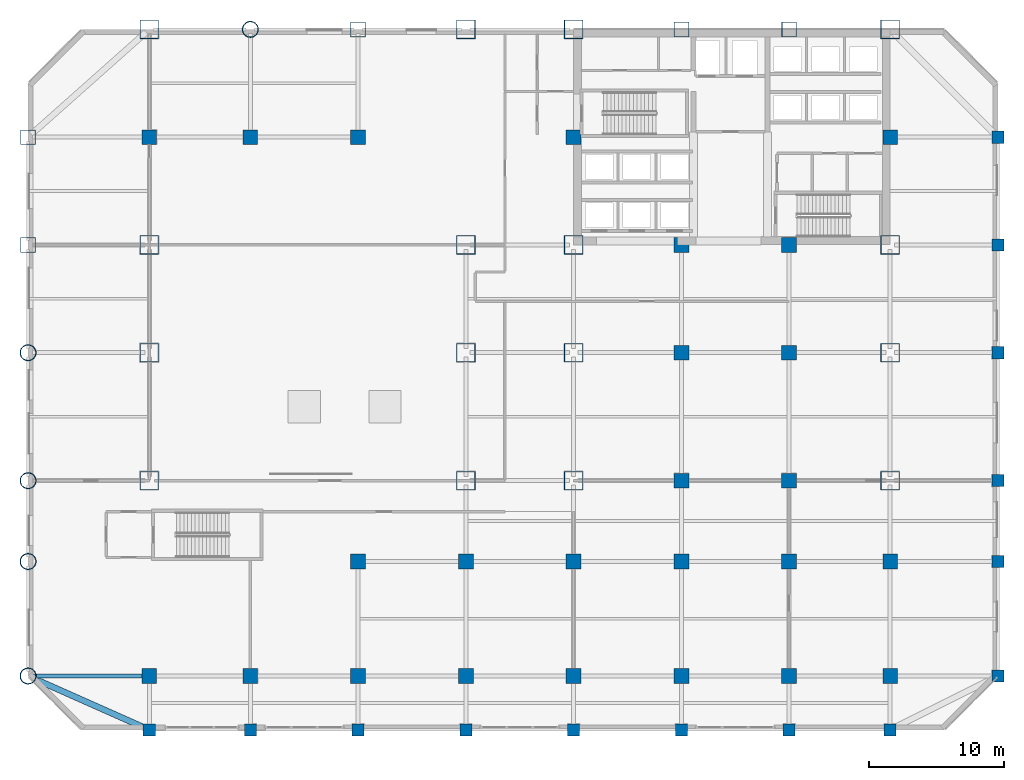
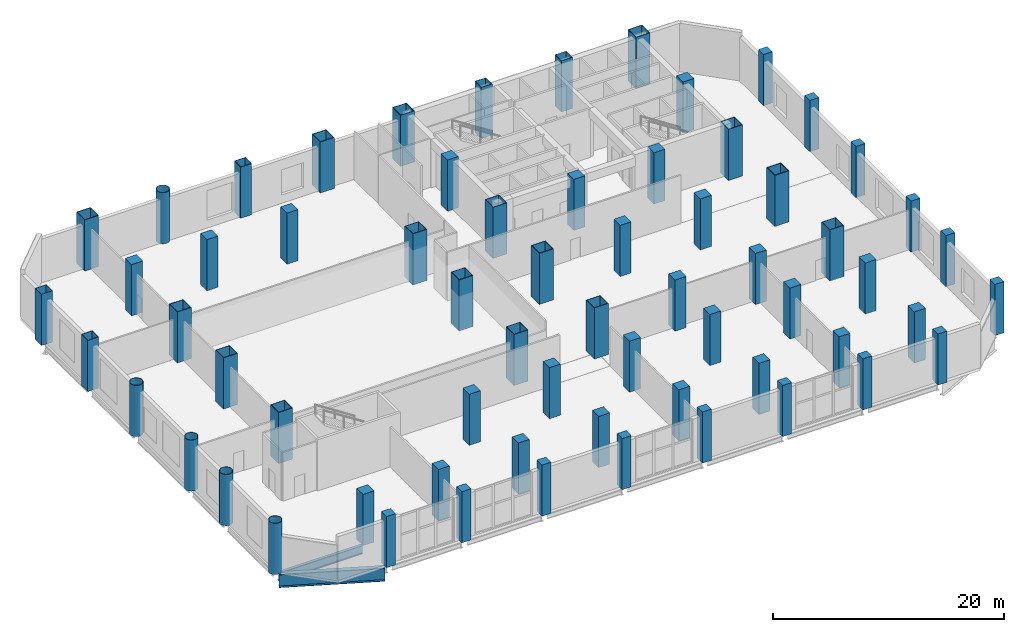
# One storey, part 1 of 18: 65 columns, 2 beams.
"""IFC4 building model written with IfcOpenShell, lengths in metres."""

from ifc_helpers import new_model, si_unit, direction, frame, origin, origin_2d, place, context, subcontext, project, spatial, rectangle, hollow_rectangle, hollow_circle, i_section, extrude, material, material_profile, profile_set, type_object, element, save


model = new_model("IFC4")

# Units and contexts
model_context = context("Model", 3, precision=1e-05, world=origin(), true_north=direction((0.0, 1.0)))
body_context = subcontext(model_context, "Body", "Model", "MODEL_VIEW")
ifc_project = project(units=[si_unit("LENGTHUNIT", "METRE"), si_unit("AREAUNIT", "SQUARE_METRE"), si_unit("VOLUMEUNIT", "CUBIC_METRE"), si_unit("PLANEANGLEUNIT", "RADIAN"), si_unit("MASSUNIT", "GRAM", prefix="KILO")], contexts=[model_context])

# Site, building, storey
site_placement = place(None, origin())
site = spatial("IfcSite", under=ifc_project, at=site_placement, CompositionType="ELEMENT")
building_placement = place(site_placement, origin())
building = spatial("IfcBuilding", under=site, at=building_placement, Name="Qianrong Seaharbour Tower", CompositionType="ELEMENT")
storey_placement = place(building_placement, frame((0.0, 0.0, 6.0)))
storey = spatial("IfcBuildingStorey", under=building, at=storey_placement, Name="L02", CompositionType="ELEMENT", Elevation=6.0)

# Columns
ifc_material_1 = material(Name="Structural steel SN490B", Category="steel")
ifc_material_profile_1 = material_profile(ifc_material_1, hollow_rectangle(XDim=1.39990234375, YDim=1.39990234375, WallThickness=0.050048828125, at=origin_2d()), Name="BOX1400x1400x50")
ifc_profile_set_1 = profile_set([ifc_material_profile_1], Name="Structural steel SN490B")
column_type_1 = type_object("IfcColumnType", Name="COL-CFT-1400", PredefinedType="COLUMN", material=ifc_profile_set_1)
for number, where, z_axis, x_axis, name in (
    (1, (9.0, 18.5, 0.0), (0.0, 0.0, 1.0), (1.0, 0.0, 0.0), "L02 Column MC-1 at G2/GD"),
    (2, (9.0, 28.0, 0.0), (0.0, 0.0, 1.0), (1.0, 0.0, 0.0), "L02 Column MC-1 at G2/GE"),
    (3, (9.0, 36.0, 0.0), (0.0, 0.0, 1.0), (1.0, 0.0, 0.0), "L02 Column MC-1 at G2/GF"),
    (4, (9.0, 52.0, 0.0), (0.0, 0.0, 1.0), (1.0, 0.0, 0.0), "L02 Column MC-1 at G2/GH"),
    (5, (32.5, 18.5, 0.0), (0.0, 0.0, 1.0), (1.0, 0.0, 0.0), "L02 Column MC-1 at G5/GD"),
    (6, (32.5, 28.0, 0.0), (0.0, 0.0, 1.0), (1.0, 0.0, 0.0), "L02 Column MC-1 at G5/GE"),
    (7, (32.5, 36.0, 0.0), (0.0, 0.0, 1.0), (1.0, 0.0, 0.0), "L02 Column MC-1 at G5/GF"),
    (8, (32.5, 52.0, 0.0), (0.0, 0.0, 1.0), (1.0, 0.0, 0.0), "L02 Column MC-1 at G5/GH"),
    (9, (40.5, 18.5, 0.0), (0.0, 0.0, 1.0), (1.0, 0.0, 0.0), "L02 Column MC-1 at G6/GD"),
    (10, (40.5, 28.0, 0.0), (0.0, 0.0, 1.0), (1.0, 0.0, 0.0), "L02 Column MC-1 at G6/GE"),
    (11, (40.5, 36.0, 0.0), (0.0, 0.0, 1.0), (1.0, 0.0, 0.0), "L02 Column MC-1 at G6/GF"),
    (12, (40.5, 52.0, 0.0), (0.0, 0.0, 1.0), (1.0, 0.0, 0.0), "L02 Column MC-1 at G6/GH"),
    (13, (64.0, 18.5, 0.0), (0.0, 0.0, 1.0), (1.0, 0.0, 0.0), "L02 Column MC-1 at G9/GD"),
    (14, (64.0, 28.0, 0.0), (0.0, 0.0, 1.0), (1.0, 0.0, 0.0), "L02 Column MC-1 at G9/GE"),
    (15, (64.0, 36.0, 0.0), (0.0, 0.0, 1.0), (1.0, 0.0, 0.0), "L02 Column MC-1 at G9/GF"),
    (16, (64.0, 52.0, 0.0), (0.0, 0.0, 1.0), (1.0, 0.0, 0.0), "L02 Column MC-1 at G9/GH"),
):
    element("IfcColumn", number, at=place(storey_placement, frame(where, z_axis=z_axis, x_axis=x_axis)), inside=storey, type_object=column_type_1, Name=name, PredefinedType="COLUMN", context=body_context, shape_type="SweptSolid", body=[
        extrude(hollow_rectangle(XDim=1.39990234375, YDim=1.39990234375, WallThickness=0.050048828125, at=origin_2d()), origin(), (0.0, 0.0, 1.0), 5.39990234375),
    ])
ifc_material_profile_2 = material_profile(ifc_material_1, hollow_circle(Radius=0.60009765625, WallThickness=0.0400390625, at=origin_2d()), Name="CHS1200x40")
ifc_profile_set_2 = profile_set([ifc_material_profile_2], Name="Structural steel SN490B")
column_type_2 = type_object("IfcColumnType", Name="COL-CHS-1200", PredefinedType="COLUMN", material=ifc_profile_set_2)
for number, where, z_axis, x_axis, name in (
    (17, (0.0, 4.0, 0.0), (0.0, 0.0, 1.0), (1.0, 0.0, 0.0), "L02 Column CC-1 at G1/GB"),
    (18, (0.0, 12.5, 0.0), (0.0, 0.0, 1.0), (1.0, 0.0, 0.0), "L02 Column CC-1 at G1/GC"),
    (19, (0.0, 18.5, 0.0), (0.0, 0.0, 1.0), (1.0, 0.0, 0.0), "L02 Column CC-1 at G1/GD"),
    (20, (0.0, 28.0, 0.0), (0.0, 0.0, 1.0), (1.0, 0.0, 0.0), "L02 Column CC-1 at G1/GE"),
    (21, (16.5, 52.0, 0.0), (0.0, 0.0, 1.0), (1.0, 0.0, 0.0), "L02 Column CC-1 at G3/GH"),
):
    element("IfcColumn", number, at=place(storey_placement, frame(where, z_axis=z_axis, x_axis=x_axis)), inside=storey, type_object=column_type_2, Name=name, PredefinedType="COLUMN", context=body_context, shape_type="SweptSolid", body=[
        extrude(hollow_circle(Radius=0.60009765625, WallThickness=0.0400390625, at=origin_2d()), origin(), (0.0, 0.0, 1.0), 5.39990234375),
    ])
ifc_material_2 = material(Name="Concrete C70/85", Category="concrete")
ifc_material_profile_3 = material_profile(ifc_material_2, rectangle(XDim=1.10009765625, YDim=1.10009765625, at=origin_2d()), Name="RC1100x1100")
ifc_profile_set_3 = profile_set([ifc_material_profile_3], Name="Concrete C70/85")
column_type_3 = type_object("IfcColumnType", Name="COL-INT-RC1100", PredefinedType="COLUMN", material=ifc_profile_set_3)
for number, where, z_axis, x_axis, name in (
    (22, (9.0, 4.0, 0.0), (0.0, 0.0, 1.0), (1.0, 0.0, 0.0), "L02 Column IC-1 at G2/GB"),
    (23, (9.0, 44.0, 0.0), (0.0, 0.0, 1.0), (1.0, 0.0, 0.0), "L02 Column IC-1 at G2/GG"),
    (24, (16.5, 4.0, 0.0), (0.0, 0.0, 1.0), (1.0, 0.0, 0.0), "L02 Column IC-1 at G3/GB"),
    (25, (16.5, 44.0, 0.0), (0.0, 0.0, 1.0), (1.0, 0.0, 0.0), "L02 Column IC-1 at G3/GG"),
    (26, (24.5, 4.0, 0.0), (0.0, 0.0, 1.0), (1.0, 0.0, 0.0), "L02 Column IC-1 at G4/GB"),
    (27, (24.5, 12.5, 0.0), (0.0, 0.0, 1.0), (1.0, 0.0, 0.0), "L02 Column IC-1 at G4/GC"),
    (28, (24.5, 44.0, 0.0), (0.0, 0.0, 1.0), (1.0, 0.0, 0.0), "L02 Column IC-1 at G4/GG"),
    (29, (32.5, 4.0, 0.0), (0.0, 0.0, 1.0), (1.0, 0.0, 0.0), "L02 Column IC-1 at G5/GB"),
    (30, (32.5, 12.5, 0.0), (0.0, 0.0, 1.0), (1.0, 0.0, 0.0), "L02 Column IC-1 at G5/GC"),
    (31, (40.5, 4.0, 0.0), (0.0, 0.0, 1.0), (1.0, 0.0, 0.0), "L02 Column IC-1 at G6/GB"),
    (32, (40.5, 12.5, 0.0), (0.0, 0.0, 1.0), (1.0, 0.0, 0.0), "L02 Column IC-1 at G6/GC"),
    (33, (40.5, 44.0, 0.0), (0.0, 0.0, 1.0), (1.0, 0.0, 0.0), "L02 Column IC-1 at G6/GG"),
    (34, (48.5, 4.0, 0.0), (0.0, 0.0, 1.0), (1.0, 0.0, 0.0), "L02 Column IC-1 at G7/GB"),
    (35, (48.5, 12.5, 0.0), (0.0, 0.0, 1.0), (1.0, 0.0, 0.0), "L02 Column IC-1 at G7/GC"),
    (36, (48.5, 18.5, 0.0), (0.0, 0.0, 1.0), (1.0, 0.0, 0.0), "L02 Column IC-1 at G7/GD"),
    (37, (48.5, 28.0, 0.0), (0.0, 0.0, 1.0), (1.0, 0.0, 0.0), "L02 Column IC-1 at G7/GE"),
    (38, (48.5, 36.0, 0.0), (0.0, 0.0, 1.0), (1.0, 0.0, 0.0), "L02 Column IC-1 at G7/GF"),
    (39, (56.5, 4.0, 0.0), (0.0, 0.0, 1.0), (1.0, 0.0, 0.0), "L02 Column IC-1 at G8/GB"),
    (40, (56.5, 12.5, 0.0), (0.0, 0.0, 1.0), (1.0, 0.0, 0.0), "L02 Column IC-1 at G8/GC"),
    (41, (56.5, 18.5, 0.0), (0.0, 0.0, 1.0), (1.0, 0.0, 0.0), "L02 Column IC-1 at G8/GD"),
    (42, (56.5, 28.0, 0.0), (0.0, 0.0, 1.0), (1.0, 0.0, 0.0), "L02 Column IC-1 at G8/GE"),
    (43, (56.5, 36.0, 0.0), (0.0, 0.0, 1.0), (1.0, 0.0, 0.0), "L02 Column IC-1 at G8/GF"),
    (44, (64.0, 4.0, 0.0), (0.0, 0.0, 1.0), (1.0, 0.0, 0.0), "L02 Column IC-1 at G9/GB"),
    (45, (64.0, 12.5, 0.0), (0.0, 0.0, 1.0), (1.0, 0.0, 0.0), "L02 Column IC-1 at G9/GC"),
    (46, (64.0, 44.0, 0.0), (0.0, 0.0, 1.0), (1.0, 0.0, 0.0), "L02 Column IC-1 at G9/GG"),
):
    element("IfcColumn", number, at=place(storey_placement, frame(where, z_axis=z_axis, x_axis=x_axis)), inside=storey, type_object=column_type_3, Name=name, PredefinedType="COLUMN", context=body_context, shape_type="SweptSolid", body=[
        extrude(rectangle(XDim=1.10009765625, YDim=1.10009765625, at=origin_2d()), origin(), (0.0, 0.0, 1.0), 5.39990234375),
    ])
ifc_material_profile_4 = material_profile(ifc_material_1, hollow_rectangle(XDim=1.10009765625, YDim=1.10009765625, WallThickness=0.0400390625, at=origin_2d()), Name="BOX1100x1100x40")
ifc_profile_set_4 = profile_set([ifc_material_profile_4], Name="Structural steel SN490B")
column_type_4 = type_object("IfcColumnType", Name="COL-PER-1100", PredefinedType="COLUMN", material=ifc_profile_set_4)
for number, where, z_axis, x_axis, name in (
    (47, (0.0, 36.0, 0.0), (0.0, 0.0, 1.0), (1.0, 0.0, 0.0), "L02 Column PC-1 at G1/GF"),
    (48, (0.0, 44.0, 0.0), (0.0, 0.0, 1.0), (1.0, 0.0, 0.0), "L02 Column PC-1 at G1/GG"),
    (49, (24.5, 52.0, 0.0), (0.0, 0.0, 1.0), (1.0, 0.0, 0.0), "L02 Column PC-1 at G4/GH"),
    (50, (48.5, 52.0, 0.0), (0.0, 0.0, 1.0), (1.0, 0.0, 0.0), "L02 Column PC-1 at G7/GH"),
    (51, (56.5, 52.0, 0.0), (0.0, 0.0, 1.0), (1.0, 0.0, 0.0), "L02 Column PC-1 at G8/GH"),
):
    element("IfcColumn", number, at=place(storey_placement, frame(where, z_axis=z_axis, x_axis=x_axis)), inside=storey, type_object=column_type_4, Name=name, PredefinedType="COLUMN", context=body_context, shape_type="SweptSolid", body=[
        extrude(hollow_rectangle(XDim=1.10009765625, YDim=1.10009765625, WallThickness=0.0400390625, at=origin_2d()), origin(), (0.0, 0.0, 1.0), 5.39990234375),
    ])
ifc_material_3 = material(Name="Concrete C60/75", Category="concrete")
ifc_material_profile_5 = material_profile(ifc_material_3, rectangle(XDim=0.89990234375, YDim=0.89990234375, at=origin_2d()), Name="RC900x900")
ifc_profile_set_5 = profile_set([ifc_material_profile_5], Name="Concrete C60/75")
column_type_5 = type_object("IfcColumnType", Name="COL-PIL-RC900", PredefinedType="PILASTER", material=ifc_profile_set_5)
for number, where, z_axis, x_axis, name in (
    (52, (9.0, 0.0, 0.0), (0.0, 0.0, 1.0), (1.0, 0.0, 0.0), "L02 Column CP-1 at G2/GA"),
    (53, (16.5, 0.0, 0.0), (0.0, 0.0, 1.0), (1.0, 0.0, 0.0), "L02 Column CP-1 at G3/GA"),
    (54, (24.5, 0.0, 0.0), (0.0, 0.0, 1.0), (1.0, 0.0, 0.0), "L02 Column CP-1 at G4/GA"),
    (55, (32.5, 0.0, 0.0), (0.0, 0.0, 1.0), (1.0, 0.0, 0.0), "L02 Column CP-1 at G5/GA"),
    (56, (40.5, 0.0, 0.0), (0.0, 0.0, 1.0), (1.0, 0.0, 0.0), "L02 Column CP-1 at G6/GA"),
    (57, (48.5, 0.0, 0.0), (0.0, 0.0, 1.0), (1.0, 0.0, 0.0), "L02 Column CP-1 at G7/GA"),
    (58, (56.5, 0.0, 0.0), (0.0, 0.0, 1.0), (1.0, 0.0, 0.0), "L02 Column CP-1 at G8/GA"),
    (59, (64.0, 0.0, 0.0), (0.0, 0.0, 1.0), (1.0, 0.0, 0.0), "L02 Column CP-1 at G9/GA"),
    (60, (72.0, 4.0, 0.0), (0.0, 0.0, 1.0), (1.0, 0.0, 0.0), "L02 Column CP-1 at G10/GB"),
    (61, (72.0, 12.5, 0.0), (0.0, 0.0, 1.0), (1.0, 0.0, 0.0), "L02 Column CP-1 at G10/GC"),
    (62, (72.0, 18.5, 0.0), (0.0, 0.0, 1.0), (1.0, 0.0, 0.0), "L02 Column CP-1 at G10/GD"),
    (63, (72.0, 28.0, 0.0), (0.0, 0.0, 1.0), (1.0, 0.0, 0.0), "L02 Column CP-1 at G10/GE"),
    (64, (72.0, 36.0, 0.0), (0.0, 0.0, 1.0), (1.0, 0.0, 0.0), "L02 Column CP-1 at G10/GF"),
    (65, (72.0, 44.0, 0.0), (0.0, 0.0, 1.0), (1.0, 0.0, 0.0), "L02 Column CP-1 at G10/GG"),
):
    element("IfcColumn", number, at=place(storey_placement, frame(where, z_axis=z_axis, x_axis=x_axis)), inside=storey, type_object=column_type_5, Name=name, PredefinedType="PILASTER", context=body_context, shape_type="SweptSolid", body=[
        extrude(rectangle(XDim=0.89990234375, YDim=0.89990234375, at=origin_2d()), origin(), (0.0, 0.0, 1.0), 5.39990234375),
    ])

# Beams
ifc_material_profile_6 = material_profile(ifc_material_1, i_section(OverallWidth=0.300048828125, OverallDepth=0.89990234375, WebThickness=0.01611328125, FlangeThickness=0.028076171875, FilletRadius=0.028076171875, at=origin_2d()), Name="H900x300x16x28")
ifc_profile_set_6 = profile_set([ifc_material_profile_6], Name="Structural steel SN490B")
beam_type_1 = type_object("IfcBeamType", Name="BM-G-900", PredefinedType="BEAM", material=ifc_profile_set_6)
beam_1_placement = place(storey_placement, frame((0.320068359375, 4.0, -0.72998046875), z_axis=(1.0, 0.0, 0.0), x_axis=(0.0, 1.0, 0.0)))
element("IfcBeam", 66, at=beam_1_placement, inside=storey, type_object=beam_type_1, Name="L02 Primary Girder GB G1-G2", PredefinedType="BEAM", context=body_context, shape_type="SweptSolid", body=[
    extrude(i_section(OverallWidth=0.300048828125, OverallDepth=0.89990234375, WebThickness=0.01611328125, FlangeThickness=0.028076171875, FilletRadius=0.028076171875, at=origin_2d()), origin(), (0.0, 0.0, 1.0), 8.35986328125),
])
ifc_material_profile_7 = material_profile(ifc_material_1, i_section(OverallWidth=0.449951171875, OverallDepth=1.39990234375, WebThickness=0.02197265625, FlangeThickness=0.0400390625, at=origin_2d()), Name="BH1400x450x22x40")
ifc_profile_set_7 = profile_set([ifc_material_profile_7], Name="Structural steel SN490B")
beam_type_2 = type_object("IfcBeamType", Name="BM-TG-1400", PredefinedType="BEAM", material=ifc_profile_set_7)
beam_2_placement = place(storey_placement, frame((8.70751953125, 0.1298828125, -0.97998046875), z_axis=(-0.913802802304, 0.406158144694, 0.0), x_axis=(-0.406158144694, -0.913802802304, 0.0)))
element("IfcBeam", 67, at=beam_2_placement, inside=storey, type_object=beam_type_2, Name="L02 Chamfer Corner Spandrel Girder G1/GA", PredefinedType="BEAM", context=body_context, shape_type="SweptSolid", body=[
    extrude(i_section(OverallWidth=0.449951171875, OverallDepth=1.39990234375, WebThickness=0.02197265625, FlangeThickness=0.0400390625, at=origin_2d()), origin(), (0.0, 0.0, 1.0), 9.208740234375),
])

save(model, "model.ifc")
